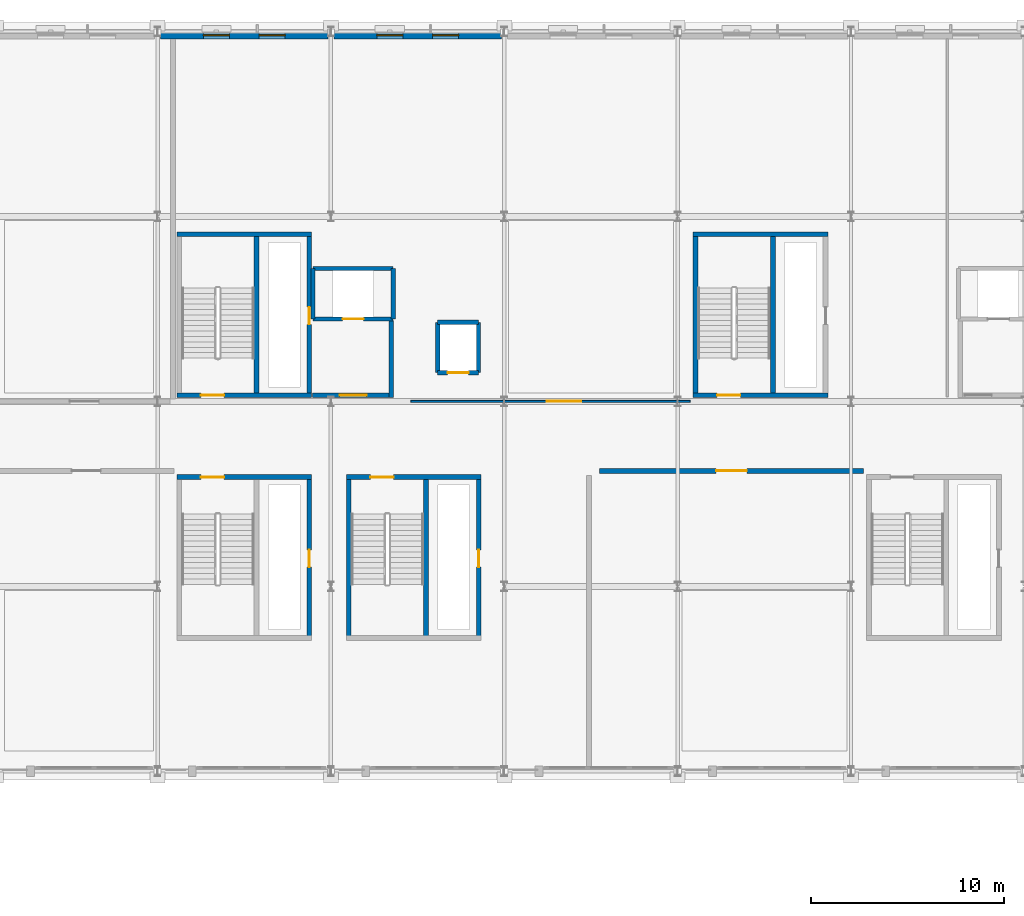
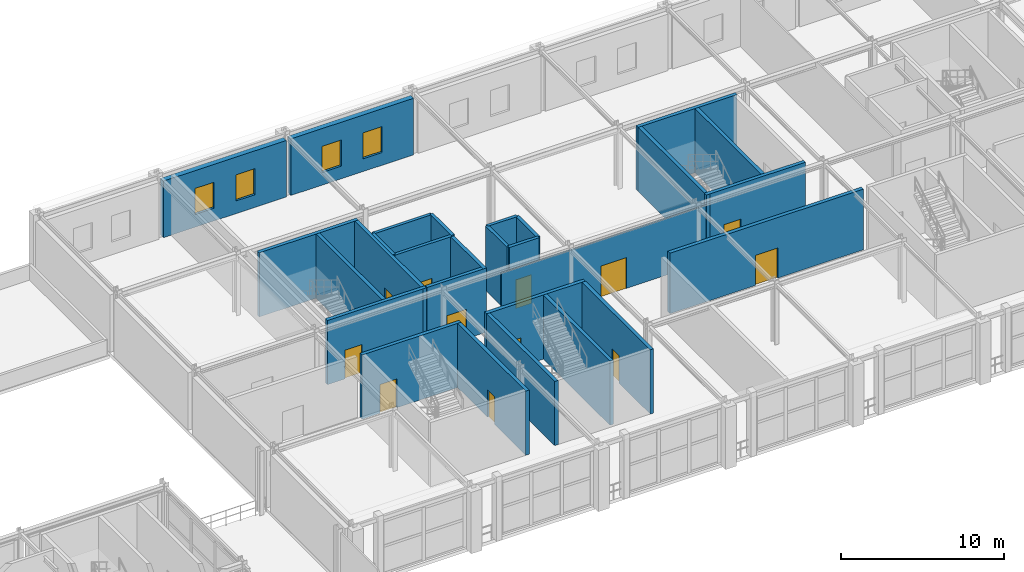
# One storey, part 81 of 125: 28 walls, 12 doors, 4 windows, 16 openings.
"""IFC4 building model written with IfcOpenShell, lengths in metres."""

from ifc_helpers import new_model, si_unit, direction, frame, frame_2d, origin, place, context, subcontext, project, spatial, rectangle, extrude, material, layer, layer_set, type_object, element, fill, save


model = new_model("IFC4")

# Units and contexts
model_context = context("Model", 3, precision=1e-05, world=origin(), true_north=direction((0.0, 1.0)))
body_context = subcontext(model_context, "Body", "Model", "MODEL_VIEW")
ifc_project = project(units=[si_unit("LENGTHUNIT", "METRE"), si_unit("AREAUNIT", "SQUARE_METRE"), si_unit("VOLUMEUNIT", "CUBIC_METRE"), si_unit("PLANEANGLEUNIT", "RADIAN"), si_unit("MASSUNIT", "GRAM", prefix="KILO")], contexts=[model_context])

# Site, building, storey
site_placement = place(None, origin())
site = spatial("IfcSite", under=ifc_project, at=site_placement, CompositionType="ELEMENT")
building_placement = place(site_placement, origin())
building = spatial("IfcBuilding", under=site, at=building_placement, Name="Myrtia Square Station", CompositionType="ELEMENT")
storey_placement = place(building_placement, frame((0.0, 0.0, 6.0)))
storey = spatial("IfcBuildingStorey", under=building, at=storey_placement, Name="L01", CompositionType="ELEMENT", Elevation=6.0)

# Wall, opening, door
ifc_material_1 = material(Name="Concrete C35/45", Category="concrete")
ifc_layer_1 = layer(ifc_material_1, 0.25, Name="Concrete C35/45")
ifc_layer_set_1 = layer_set([ifc_layer_1], Name="Concrete C35/45")
wall_type_1 = type_object("IfcWallType", Name="WL-CORE-250", PredefinedType="SHEAR", material=ifc_layer_set_1)
wall_1_placement = place(storey_placement, frame((127.0, 105.925048828125, 0.0), z_axis=(0.0, 0.0, 1.0), x_axis=(1.0, 0.0, 0.0)))
wall_1 = element("IfcWall", 1, at=wall_1_placement, inside=storey, type_object=wall_type_1, Name="Core K7 shear wall L01 S", PredefinedType="SHEAR", context=body_context, shape_type="SweptSolid", body=[
    extrude(rectangle(XDim=7.0, YDim=0.25, at=frame_2d((3.5, 0.0))), origin(), (0.0, 0.0, 1.0), 4.800048828125),
])
opening_1_placement = place(wall_1_placement, frame((1.25, 0.0, 0.0)))
opening_1 = element("IfcOpeningElement", 2, at=opening_1_placement, cuts=wall_1, Name="Opening SD-113", PredefinedType="OPENING", context=body_context, shape_type="SweptSolid", body=[
    extrude(rectangle(XDim=1.199951171875, YDim=2.14990234375, at=frame_2d((0.60009765625, 1.074951171875))), frame((0.0, 0.139892578125, 0.0), z_axis=(0.0, -1.0, 0.0), x_axis=(1.0, 0.0, 0.0)), (0.0, 0.0, 1.0), 0.280029296875),
])
ifc_material_2 = material(Name="Dark bronze anodised aluminium", Category="aluminium")
door_type_1 = type_object("IfcDoorType", Name="DR-STAIR-1200x2150", OperationType="NOTDEFINED", PredefinedType="DOOR", material=ifc_material_2)
door_1_placement = place(opening_1_placement, origin())
door_1 = element("IfcDoor", 3, at=door_1_placement, inside=storey, type_object=door_type_1, Name="Protected stair fire door K7 L01", OperationType="SINGLE_SWING_LEFT", OverallHeight=2.14990234375, OverallWidth=1.199951171875, PredefinedType="DOOR", context=body_context, shape_type="SweptSolid", body=[
    extrude(rectangle(XDim=1.199951171875, YDim=2.14990234375, at=frame_2d((0.60009765625, 1.074951171875))), frame((0.0, 0.02490234375, 0.0), z_axis=(0.0, -1.0, 0.0), x_axis=(1.0, 0.0, 0.0)), (0.0, 0.0, 1.0), 0.050048828125),
])
fill(opening_1, door_1)

# Wall
wall_2_placement = place(storey_placement, frame((127.0, 114.27490234375, 0.0), z_axis=(0.0, 0.0, 1.0), x_axis=(1.0, 0.0, 0.0)))
element("IfcWall", 4, at=wall_2_placement, inside=storey, type_object=wall_type_1, Name="Core K7 shear wall L01 N", PredefinedType="SHEAR", context=body_context, shape_type="SweptSolid", body=[
    extrude(rectangle(XDim=7.0, YDim=0.25, at=frame_2d((3.5, 0.0))), origin(), (0.0, 0.0, 1.0), 4.800048828125),
])

# Wall, opening, door
wall_3_placement = place(storey_placement, frame((133.875, 105.800048828125, 0.0), z_axis=(0.0, 0.0, 1.0), x_axis=(0.0, 1.0, 0.0)))
wall_3 = element("IfcWall", 5, at=wall_3_placement, inside=storey, type_object=wall_type_1, Name="Core K7 shear wall L01 E", PredefinedType="SHEAR", context=body_context, shape_type="SweptSolid", body=[
    extrude(rectangle(XDim=8.599853515625, YDim=0.25, at=frame_2d((4.2998046875, 0.0))), origin(), (0.0, 0.0, 1.0), 4.800048828125),
])
opening_2_placement = place(wall_3_placement, frame((3.800048828125, 0.0, 0.0)))
opening_2 = element("IfcOpeningElement", 6, at=opening_2_placement, cuts=wall_3, Name="Opening RD-114", PredefinedType="OPENING", context=body_context, shape_type="SweptSolid", body=[
    extrude(rectangle(XDim=0.89990234375, YDim=2.050048828125, at=frame_2d((0.449951171875, 1.02490234375))), frame((0.0, 0.139892578125, 0.0), z_axis=(0.0, -1.0, 0.0), x_axis=(1.0, 0.0, 0.0)), (0.0, 0.0, 1.0), 0.280029296875),
])
door_type_2 = type_object("IfcDoorType", Name="DR-RISER-900x2050", OperationType="NOTDEFINED", PredefinedType="DOOR", material=ifc_material_2)
door_2_placement = place(opening_2_placement, origin())
door_2 = element("IfcDoor", 7, at=door_2_placement, inside=storey, type_object=door_type_2, Name="Riser cupboard access door K7 L01", OperationType="SINGLE_SWING_RIGHT", OverallHeight=2.050048828125, OverallWidth=0.89990234375, PredefinedType="DOOR", context=body_context, shape_type="SweptSolid", body=[
    extrude(rectangle(XDim=0.89990234375, YDim=2.050048828125, at=frame_2d((0.449951171875, 1.02490234375))), frame((0.0, 0.02490234375, 0.0), z_axis=(0.0, -1.0, 0.0), x_axis=(1.0, 0.0, 0.0)), (0.0, 0.0, 1.0), 0.050048828125),
])
fill(opening_2, door_2)

# Wall
wall_4_placement = place(storey_placement, frame((131.139892578125, 106.0, 0.0), z_axis=(0.0, 0.0, 1.0), x_axis=(0.0, 1.0, 0.0)))
element("IfcWall", 8, at=wall_4_placement, inside=storey, type_object=wall_type_1, Name="Core K7 shear wall L01 D", PredefinedType="SHEAR", context=body_context, shape_type="SweptSolid", body=[
    extrude(rectangle(XDim=8.199951171875, YDim=0.25, at=frame_2d((4.10009765625, 0.0))), origin(), (0.0, 0.0, 1.0), 4.800048828125),
])

# Wall, opening, door
wall_5_placement = place(storey_placement, frame((127.0, 101.675048828125, 0.0), z_axis=(0.0, 0.0, 1.0), x_axis=(1.0, 0.0, 0.0)))
wall_5 = element("IfcWall", 9, at=wall_5_placement, inside=storey, type_object=wall_type_1, Name="Core K12 shear wall L01 N", PredefinedType="SHEAR", context=body_context, shape_type="SweptSolid", body=[
    extrude(rectangle(XDim=7.0, YDim=0.25, at=frame_2d((3.5, 0.0))), origin(), (0.0, 0.0, 1.0), 4.800048828125),
])
opening_3_placement = place(wall_5_placement, frame((1.25, 0.0, 0.0)))
opening_3 = element("IfcOpeningElement", 10, at=opening_3_placement, cuts=wall_5, Name="Opening SD-147", PredefinedType="OPENING", context=body_context, shape_type="SweptSolid", body=[
    extrude(rectangle(XDim=1.199951171875, YDim=2.14990234375, at=frame_2d((0.60009765625, 1.074951171875))), frame((0.0, 0.139892578125, 0.0), z_axis=(0.0, -1.0, 0.0), x_axis=(1.0, 0.0, 0.0)), (0.0, 0.0, 1.0), 0.280029296875),
])
door_3_placement = place(opening_3_placement, frame((1.199951171875, 0.0, 0.0), z_axis=(0.0, 0.0, 1.0), x_axis=(-1.0, 0.0, 0.0)))
door_3 = element("IfcDoor", 11, at=door_3_placement, inside=storey, type_object=door_type_1, Name="Protected stair fire door K12 L01", OperationType="SINGLE_SWING_LEFT", OverallHeight=2.14990234375, OverallWidth=1.199951171875, PredefinedType="DOOR", context=body_context, shape_type="SweptSolid", body=[
    extrude(rectangle(XDim=1.199951171875, YDim=2.14990234375, at=frame_2d((0.60009765625, 1.074951171875))), frame((0.0, 0.02490234375, 0.0), z_axis=(0.0, -1.0, 0.0), x_axis=(1.0, 0.0, 0.0)), (0.0, 0.0, 1.0), 0.050048828125),
])
fill(opening_3, door_3)

wall_6_placement = place(storey_placement, frame((133.875, 93.199951171875, 0.0), z_axis=(0.0, 0.0, 1.0), x_axis=(0.0, 1.0, 0.0)))
wall_6 = element("IfcWall", 12, at=wall_6_placement, inside=storey, type_object=wall_type_1, Name="Core K12 shear wall L01 E", PredefinedType="SHEAR", context=body_context, shape_type="SweptSolid", body=[
    extrude(rectangle(XDim=8.60009765625, YDim=0.25, at=frame_2d((4.300048828125, 0.0))), origin(), (0.0, 0.0, 1.0), 4.800048828125),
])
opening_4_placement = place(wall_6_placement, frame((3.800048828125, 0.0, 0.0)))
opening_4 = element("IfcOpeningElement", 13, at=opening_4_placement, cuts=wall_6, Name="Opening RD-148", PredefinedType="OPENING", context=body_context, shape_type="SweptSolid", body=[
    extrude(rectangle(XDim=0.89990234375, YDim=2.050048828125, at=frame_2d((0.449951171875, 1.02490234375))), frame((0.0, 0.139892578125, 0.0), z_axis=(0.0, -1.0, 0.0), x_axis=(1.0, 0.0, 0.0)), (0.0, 0.0, 1.0), 0.280029296875),
])
door_4_placement = place(opening_4_placement, origin())
door_4 = element("IfcDoor", 14, at=door_4_placement, inside=storey, type_object=door_type_2, Name="Riser cupboard access door K12 L01", OperationType="SINGLE_SWING_RIGHT", OverallHeight=2.050048828125, OverallWidth=0.89990234375, PredefinedType="DOOR", context=body_context, shape_type="SweptSolid", body=[
    extrude(rectangle(XDim=0.89990234375, YDim=2.050048828125, at=frame_2d((0.449951171875, 1.02490234375))), frame((0.0, 0.02490234375, 0.0), z_axis=(0.0, -1.0, 0.0), x_axis=(1.0, 0.0, 0.0)), (0.0, 0.0, 1.0), 0.050048828125),
])
fill(opening_4, door_4)

wall_7_placement = place(storey_placement, frame((135.800048828125, 101.675048828125, 0.0), z_axis=(0.0, 0.0, 1.0), x_axis=(1.0, 0.0, 0.0)))
wall_7 = element("IfcWall", 15, at=wall_7_placement, inside=storey, type_object=wall_type_1, Name="Core K13 shear wall L01 N", PredefinedType="SHEAR", context=body_context, shape_type="SweptSolid", body=[
    extrude(rectangle(XDim=7.0, YDim=0.25, at=frame_2d((3.5, 0.0))), origin(), (0.0, 0.0, 1.0), 4.800048828125),
])
opening_5_placement = place(wall_7_placement, frame((1.25, 0.0, 0.0)))
opening_5 = element("IfcOpeningElement", 16, at=opening_5_placement, cuts=wall_7, Name="Opening SD-157", PredefinedType="OPENING", context=body_context, shape_type="SweptSolid", body=[
    extrude(rectangle(XDim=1.199951171875, YDim=2.14990234375, at=frame_2d((0.60009765625, 1.074951171875))), frame((0.0, 0.139892578125, 0.0), z_axis=(0.0, -1.0, 0.0), x_axis=(1.0, 0.0, 0.0)), (0.0, 0.0, 1.0), 0.280029296875),
])
door_5_placement = place(opening_5_placement, frame((1.199951171875, 0.0, 0.0), z_axis=(0.0, 0.0, 1.0), x_axis=(-1.0, 0.0, 0.0)))
door_5 = element("IfcDoor", 17, at=door_5_placement, inside=storey, type_object=door_type_1, Name="Protected stair fire door K13 L01", OperationType="SINGLE_SWING_LEFT", OverallHeight=2.14990234375, OverallWidth=1.199951171875, PredefinedType="DOOR", context=body_context, shape_type="SweptSolid", body=[
    extrude(rectangle(XDim=1.199951171875, YDim=2.14990234375, at=frame_2d((0.60009765625, 1.074951171875))), frame((0.0, 0.02490234375, 0.0), z_axis=(0.0, -1.0, 0.0), x_axis=(1.0, 0.0, 0.0)), (0.0, 0.0, 1.0), 0.050048828125),
])
fill(opening_5, door_5)

# Wall
wall_8_placement = place(storey_placement, frame((135.925048828125, 93.199951171875, 0.0), z_axis=(0.0, 0.0, 1.0), x_axis=(0.0, 1.0, 0.0)))
element("IfcWall", 18, at=wall_8_placement, inside=storey, type_object=wall_type_1, Name="Core K13 shear wall L01 W", PredefinedType="SHEAR", context=body_context, shape_type="SweptSolid", body=[
    extrude(rectangle(XDim=8.60009765625, YDim=0.25, at=frame_2d((4.300048828125, 0.0))), origin(), (0.0, 0.0, 1.0), 4.800048828125),
])

# Wall, opening, door
wall_9_placement = place(storey_placement, frame((142.675048828125, 93.199951171875, 0.0), z_axis=(0.0, 0.0, 1.0), x_axis=(0.0, 1.0, 0.0)))
wall_9 = element("IfcWall", 19, at=wall_9_placement, inside=storey, type_object=wall_type_1, Name="Core K13 shear wall L01 E", PredefinedType="SHEAR", context=body_context, shape_type="SweptSolid", body=[
    extrude(rectangle(XDim=8.60009765625, YDim=0.25, at=frame_2d((4.300048828125, 0.0))), origin(), (0.0, 0.0, 1.0), 4.800048828125),
])
opening_6_placement = place(wall_9_placement, frame((3.800048828125, 0.0, 0.0)))
opening_6 = element("IfcOpeningElement", 20, at=opening_6_placement, cuts=wall_9, Name="Opening RD-158", PredefinedType="OPENING", context=body_context, shape_type="SweptSolid", body=[
    extrude(rectangle(XDim=0.89990234375, YDim=2.050048828125, at=frame_2d((0.449951171875, 1.02490234375))), frame((0.0, 0.139892578125, 0.0), z_axis=(0.0, -1.0, 0.0), x_axis=(1.0, 0.0, 0.0)), (0.0, 0.0, 1.0), 0.280029296875),
])
door_6_placement = place(opening_6_placement, origin())
door_6 = element("IfcDoor", 21, at=door_6_placement, inside=storey, type_object=door_type_2, Name="Riser cupboard access door K13 L01", OperationType="SINGLE_SWING_RIGHT", OverallHeight=2.050048828125, OverallWidth=0.89990234375, PredefinedType="DOOR", context=body_context, shape_type="SweptSolid", body=[
    extrude(rectangle(XDim=0.89990234375, YDim=2.050048828125, at=frame_2d((0.449951171875, 1.02490234375))), frame((0.0, 0.02490234375, 0.0), z_axis=(0.0, -1.0, 0.0), x_axis=(1.0, 0.0, 0.0)), (0.0, 0.0, 1.0), 0.050048828125),
])
fill(opening_6, door_6)

# Wall
wall_10_placement = place(storey_placement, frame((139.93994140625, 93.39990234375, 0.0), z_axis=(0.0, 0.0, 1.0), x_axis=(0.0, 1.0, 0.0)))
element("IfcWall", 22, at=wall_10_placement, inside=storey, type_object=wall_type_1, Name="Core K13 shear wall L01 D", PredefinedType="SHEAR", context=body_context, shape_type="SweptSolid", body=[
    extrude(rectangle(XDim=8.2001953125, YDim=0.25, at=frame_2d((4.10009765625, 0.0))), origin(), (0.0, 0.0, 1.0), 4.800048828125),
])

# Wall, opening, door
wall_11_placement = place(storey_placement, frame((153.800048828125, 105.925048828125, 0.0), z_axis=(0.0, 0.0, 1.0), x_axis=(1.0, 0.0, 0.0)))
wall_11 = element("IfcWall", 23, at=wall_11_placement, inside=storey, type_object=wall_type_1, Name="Core K15 shear wall L01 S", PredefinedType="SHEAR", context=body_context, shape_type="SweptSolid", body=[
    extrude(rectangle(XDim=7.0, YDim=0.25, at=frame_2d((3.5, 0.0))), origin(), (0.0, 0.0, 1.0), 4.800048828125),
])
opening_7_placement = place(wall_11_placement, frame((1.25, 0.0, 0.0)))
opening_7 = element("IfcOpeningElement", 24, at=opening_7_placement, cuts=wall_11, Name="Opening SD-167", PredefinedType="OPENING", context=body_context, shape_type="SweptSolid", body=[
    extrude(rectangle(XDim=1.199951171875, YDim=2.14990234375, at=frame_2d((0.60009765625, 1.074951171875))), frame((0.0, 0.139892578125, 0.0), z_axis=(0.0, -1.0, 0.0), x_axis=(1.0, 0.0, 0.0)), (0.0, 0.0, 1.0), 0.280029296875),
])
door_7_placement = place(opening_7_placement, origin())
door_7 = element("IfcDoor", 25, at=door_7_placement, inside=storey, type_object=door_type_1, Name="Protected stair fire door K15 L01", OperationType="SINGLE_SWING_LEFT", OverallHeight=2.14990234375, OverallWidth=1.199951171875, PredefinedType="DOOR", context=body_context, shape_type="SweptSolid", body=[
    extrude(rectangle(XDim=1.199951171875, YDim=2.14990234375, at=frame_2d((0.60009765625, 1.074951171875))), frame((0.0, 0.02490234375, 0.0), z_axis=(0.0, -1.0, 0.0), x_axis=(1.0, 0.0, 0.0)), (0.0, 0.0, 1.0), 0.050048828125),
])
fill(opening_7, door_7)

# Walls
wall_12_placement = place(storey_placement, frame((153.800048828125, 114.27490234375, 0.0), z_axis=(0.0, 0.0, 1.0), x_axis=(1.0, 0.0, 0.0)))
element("IfcWall", 26, at=wall_12_placement, inside=storey, type_object=wall_type_1, Name="Core K15 shear wall L01 N", PredefinedType="SHEAR", context=body_context, shape_type="SweptSolid", body=[
    extrude(rectangle(XDim=7.0, YDim=0.25, at=frame_2d((3.5, 0.0))), origin(), (0.0, 0.0, 1.0), 4.800048828125),
])
wall_13_placement = place(storey_placement, frame((153.925048828125, 105.800048828125, 0.0), z_axis=(0.0, 0.0, 1.0), x_axis=(0.0, 1.0, 0.0)))
element("IfcWall", 27, at=wall_13_placement, inside=storey, type_object=wall_type_1, Name="Core K15 shear wall L01 W", PredefinedType="SHEAR", context=body_context, shape_type="SweptSolid", body=[
    extrude(rectangle(XDim=8.599853515625, YDim=0.25, at=frame_2d((4.2998046875, 0.0))), origin(), (0.0, 0.0, 1.0), 4.800048828125),
])
wall_14_placement = place(storey_placement, frame((157.93994140625, 106.0, 0.0), z_axis=(0.0, 0.0, 1.0), x_axis=(0.0, 1.0, 0.0)))
element("IfcWall", 28, at=wall_14_placement, inside=storey, type_object=wall_type_1, Name="Core K15 shear wall L01 D", PredefinedType="SHEAR", context=body_context, shape_type="SweptSolid", body=[
    extrude(rectangle(XDim=8.199951171875, YDim=0.25, at=frame_2d((4.10009765625, 0.0))), origin(), (0.0, 0.0, 1.0), 4.800048828125),
])

# Wall, openings, windows
ifc_material_3 = material(Name="Cream lime stucco on clay brick masonry", Category="masonry")
ifc_layer_2 = layer(ifc_material_3, 0.360107421875, Name="Cream lime stucco on clay brick masonry")
ifc_layer_set_2 = layer_set([ifc_layer_2], Name="Cream lime stucco on clay brick masonry")
wall_type_2 = type_object("IfcWallType", Name="WL-EXT-STUCCO-360", PredefinedType="SOLIDWALL", material=ifc_layer_set_2)
wall_15_placement = place(storey_placement, frame((126.155029296875, 124.60009765625, 0.0), z_axis=(0.0, 0.0, 1.0), x_axis=(1.0, 0.0, 0.0)))
wall_15 = element("IfcWall", 29, at=wall_15_placement, inside=storey, type_object=wall_type_2, Name="Exterior envelope wall EW-L01-0109", PredefinedType="SOLIDWALL", context=body_context, shape_type="SweptSolid", body=[
    extrude(rectangle(XDim=8.68994140625, YDim=0.360107421875, at=frame_2d((4.344970703125, 0.0))), origin(), (0.0, 0.0, 1.0), 4.22998046875),
])
opening_8_placement = place(wall_15_placement, frame((2.221923828125, 0.0, 0.949951171875)))
opening_8 = element("IfcOpeningElement", 30, at=opening_8_placement, cuts=wall_15, Name="Opening WN-111", PredefinedType="OPENING", context=body_context, shape_type="SweptSolid", body=[
    extrude(rectangle(XDim=1.35009765625, YDim=1.949951171875, at=frame_2d((0.675048828125, 0.97509765625))), frame((0.0, 0.195068359375, 0.0), z_axis=(0.0, -1.0, 0.0), x_axis=(1.0, 0.0, 0.0)), (0.0, 0.0, 1.0), 0.39013671875),
])
opening_9_placement = place(wall_15_placement, frame((5.117919921875, 0.0, 0.949951171875)))
opening_9 = element("IfcOpeningElement", 31, at=opening_9_placement, cuts=wall_15, Name="Opening WN-112", PredefinedType="OPENING", context=body_context, shape_type="SweptSolid", body=[
    extrude(rectangle(XDim=1.35009765625, YDim=1.949951171875, at=frame_2d((0.675048828125, 0.97509765625))), frame((0.0, 0.195068359375, 0.0), z_axis=(0.0, -1.0, 0.0), x_axis=(1.0, 0.0, 0.0)), (0.0, 0.0, 1.0), 0.39013671875),
])
ifc_material_4 = material(Name="Tinted low-E solar control glass", Category="glass")
window_type = type_object("IfcWindowType", Name="WN-OPS-1350x1950", PartitioningType="SINGLE_PANEL", PredefinedType="WINDOW", material=ifc_material_4)
window_1_placement = place(opening_8_placement, origin())
window_1 = element("IfcWindow", 32, at=window_1_placement, inside=storey, type_object=window_type, Name="Window WN-111", OverallHeight=1.949951171875, OverallWidth=1.35009765625, PartitioningType="SINGLE_PANEL", PredefinedType="WINDOW", context=body_context, shape_type="SweptSolid", body=[
    extrude(rectangle(XDim=1.35009765625, YDim=1.949951171875, at=frame_2d((0.675048828125, 0.97509765625))), frame((0.0, 0.030029296875, 0.0), z_axis=(0.0, -1.0, 0.0), x_axis=(1.0, 0.0, 0.0)), (0.0, 0.0, 1.0), 0.06005859375),
])
fill(opening_8, window_1)
window_2_placement = place(opening_9_placement, origin())
window_2 = element("IfcWindow", 33, at=window_2_placement, inside=storey, type_object=window_type, Name="Window WN-112", OverallHeight=1.949951171875, OverallWidth=1.35009765625, PartitioningType="SINGLE_PANEL", PredefinedType="WINDOW", context=body_context, shape_type="SweptSolid", body=[
    extrude(rectangle(XDim=1.35009765625, YDim=1.949951171875, at=frame_2d((0.675048828125, 0.97509765625))), frame((0.0, 0.030029296875, 0.0), z_axis=(0.0, -1.0, 0.0), x_axis=(1.0, 0.0, 0.0)), (0.0, 0.0, 1.0), 0.06005859375),
])
fill(opening_9, window_2)

wall_16_placement = place(storey_placement, frame((135.155029296875, 124.60009765625, 0.0), z_axis=(0.0, 0.0, 1.0), x_axis=(1.0, 0.0, 0.0)))
wall_16 = element("IfcWall", 34, at=wall_16_placement, inside=storey, type_object=wall_type_2, Name="Exterior envelope wall EW-L01-0110", PredefinedType="SOLIDWALL", context=body_context, shape_type="SweptSolid", body=[
    extrude(rectangle(XDim=8.68994140625, YDim=0.360107421875, at=frame_2d((4.344970703125, 0.0))), origin(), (0.0, 0.0, 1.0), 4.22998046875),
])
opening_10_placement = place(wall_16_placement, frame((2.221923828125, 0.0, 0.949951171875)))
opening_10 = element("IfcOpeningElement", 35, at=opening_10_placement, cuts=wall_16, Name="Opening WN-113", PredefinedType="OPENING", context=body_context, shape_type="SweptSolid", body=[
    extrude(rectangle(XDim=1.35009765625, YDim=1.949951171875, at=frame_2d((0.675048828125, 0.97509765625))), frame((0.0, 0.195068359375, 0.0), z_axis=(0.0, -1.0, 0.0), x_axis=(1.0, 0.0, 0.0)), (0.0, 0.0, 1.0), 0.39013671875),
])
opening_11_placement = place(wall_16_placement, frame((5.117919921875, 0.0, 0.949951171875)))
opening_11 = element("IfcOpeningElement", 36, at=opening_11_placement, cuts=wall_16, Name="Opening WN-114", PredefinedType="OPENING", context=body_context, shape_type="SweptSolid", body=[
    extrude(rectangle(XDim=1.35009765625, YDim=1.949951171875, at=frame_2d((0.675048828125, 0.97509765625))), frame((0.0, 0.195068359375, 0.0), z_axis=(0.0, -1.0, 0.0), x_axis=(1.0, 0.0, 0.0)), (0.0, 0.0, 1.0), 0.39013671875),
])
window_3_placement = place(opening_10_placement, origin())
window_3 = element("IfcWindow", 37, at=window_3_placement, inside=storey, type_object=window_type, Name="Window WN-113", OverallHeight=1.949951171875, OverallWidth=1.35009765625, PartitioningType="SINGLE_PANEL", PredefinedType="WINDOW", context=body_context, shape_type="SweptSolid", body=[
    extrude(rectangle(XDim=1.35009765625, YDim=1.949951171875, at=frame_2d((0.675048828125, 0.97509765625))), frame((0.0, 0.030029296875, 0.0), z_axis=(0.0, -1.0, 0.0), x_axis=(1.0, 0.0, 0.0)), (0.0, 0.0, 1.0), 0.06005859375),
])
fill(opening_10, window_3)
window_4_placement = place(opening_11_placement, origin())
window_4 = element("IfcWindow", 38, at=window_4_placement, inside=storey, type_object=window_type, Name="Window WN-114", OverallHeight=1.949951171875, OverallWidth=1.35009765625, PartitioningType="SINGLE_PANEL", PredefinedType="WINDOW", context=body_context, shape_type="SweptSolid", body=[
    extrude(rectangle(XDim=1.35009765625, YDim=1.949951171875, at=frame_2d((0.675048828125, 0.97509765625))), frame((0.0, 0.030029296875, 0.0), z_axis=(0.0, -1.0, 0.0), x_axis=(1.0, 0.0, 0.0)), (0.0, 0.0, 1.0), 0.06005859375),
])
fill(opening_11, window_4)

# Wall
ifc_layer_3 = layer(ifc_material_1, 0.239990234375, Name="Concrete C35/45")
ifc_layer_set_3 = layer_set([ifc_layer_3], Name="Concrete C35/45")
wall_type_3 = type_object("IfcWallType", Name="WL-FFL-240", PredefinedType="SHEAR", material=ifc_layer_set_3)
wall_17_placement = place(storey_placement, frame((138.1298828125, 105.800048828125, 0.0), z_axis=(0.0, 0.0, 1.0), x_axis=(0.0, 1.0, 0.0)))
element("IfcWall", 39, at=wall_17_placement, inside=storey, type_object=wall_type_3, Name="Firefighting lift lobby EI 120 wall K7 L01 E", PredefinedType="SHEAR", context=body_context, shape_type="SweptSolid", body=[
    extrude(rectangle(XDim=4.0, YDim=0.239990234375, at=frame_2d((2.0, 0.0))), origin(), (0.0, 0.0, 1.0), 4.800048828125),
])

# Wall, opening, door
wall_18_placement = place(storey_placement, frame((134.050048828125, 105.919921875, 0.0), z_axis=(0.0, 0.0, 1.0), x_axis=(1.0, 0.0, 0.0)))
wall_18 = element("IfcWall", 40, at=wall_18_placement, inside=storey, type_object=wall_type_3, Name="Firefighting lift lobby EI 120 wall K7 L01 S", PredefinedType="SHEAR", context=body_context, shape_type="SweptSolid", body=[
    extrude(rectangle(XDim=4.199951171875, YDim=0.239990234375, at=frame_2d((2.10009765625, 0.0))), origin(), (0.0, 0.0, 1.0), 4.800048828125),
])
opening_12_placement = place(wall_18_placement, frame((1.39990234375, 0.0, 0.0)))
opening_12 = element("IfcOpeningElement", 41, at=opening_12_placement, cuts=wall_18, Name="Opening FD-115", PredefinedType="OPENING", context=body_context, shape_type="SweptSolid", body=[
    extrude(rectangle(XDim=1.39990234375, YDim=2.199951171875, at=frame_2d((0.699951171875, 1.10009765625))), frame((0.0, 0.135009765625, 0.0), z_axis=(0.0, -1.0, 0.0), x_axis=(1.0, 0.0, 0.0)), (0.0, 0.0, 1.0), 0.27001953125),
])
door_type_3 = type_object("IfcDoorType", Name="DR-FFL-1400x2200", OperationType="NOTDEFINED", PredefinedType="DOOR", material=ifc_material_2)
door_8_placement = place(opening_12_placement, frame((1.39990234375, 0.0, 0.0), z_axis=(0.0, 0.0, 1.0), x_axis=(-1.0, 0.0, 0.0)))
door_8 = element("IfcDoor", 42, at=door_8_placement, inside=storey, type_object=door_type_3, Name="Firefighting lobby fire door K7 L01", OperationType="SINGLE_SWING_LEFT", OverallHeight=2.199951171875, OverallWidth=1.39990234375, PredefinedType="DOOR", context=body_context, shape_type="SweptSolid", body=[
    extrude(rectangle(XDim=1.39990234375, YDim=2.199951171875, at=frame_2d((0.699951171875, 1.10009765625))), frame((0.0, 0.02490234375, 0.0), z_axis=(0.0, -1.0, 0.0), x_axis=(1.0, 0.0, 0.0)), (0.0, 0.0, 1.0), 0.050048828125),
])
fill(opening_12, door_8)

ifc_layer_4 = layer(ifc_material_1, 0.219970703125, Name="Concrete C35/45")
ifc_layer_set_4 = layer_set([ifc_layer_4], Name="Concrete C35/45")
wall_type_4 = type_object("IfcWallType", Name="WL-LIFT-220", PredefinedType="SHEAR", material=ifc_layer_set_4)
wall_19_placement = place(storey_placement, frame((140.5400390625, 107.090087890625, 0.0), z_axis=(0.0, 0.0, 1.0), x_axis=(1.0, 0.0, 0.0)))
wall_19 = element("IfcWall", 43, at=wall_19_placement, inside=storey, type_object=wall_type_4, Name="Lift shaft wall PL-08 L01 -Y", PredefinedType="SHEAR", context=body_context, shape_type="SweptSolid", body=[
    extrude(rectangle(XDim=2.119873046875, YDim=0.219970703125, at=frame_2d((1.06005859375, 0.0))), origin(), (0.0, 0.0, 1.0), 4.800048828125),
])
opening_13_placement = place(wall_19_placement, frame((0.510009765625, 0.0, 0.0)))
opening_13 = element("IfcOpeningElement", 44, at=opening_13_placement, cuts=wall_19, Name="Opening LD-PL-08", PredefinedType="OPENING", context=body_context, shape_type="SweptSolid", body=[
    extrude(rectangle(XDim=1.10009765625, YDim=2.14990234375, at=frame_2d((0.550048828125, 1.074951171875))), frame((0.0, 0.125, 0.0), z_axis=(0.0, -1.0, 0.0), x_axis=(1.0, 0.0, 0.0)), (0.0, 0.0, 1.0), 0.25),
])
door_type_4 = type_object("IfcDoorType", Name="DR-LIFT-1100x2150", OperationType="NOTDEFINED", PredefinedType="DOOR", material=ifc_material_2)
door_9_placement = place(opening_13_placement, origin())
door_9 = element("IfcDoor", 45, at=door_9_placement, inside=storey, type_object=door_type_4, Name="Lift landing door PL-08 L01", OperationType="SLIDING_TO_RIGHT", OverallHeight=2.14990234375, OverallWidth=1.10009765625, PredefinedType="DOOR", context=body_context, shape_type="SweptSolid", body=[
    extrude(rectangle(XDim=1.10009765625, YDim=2.14990234375, at=frame_2d((0.550048828125, 1.074951171875))), frame((0.0, 0.02490234375, 0.0), z_axis=(0.0, -1.0, 0.0), x_axis=(1.0, 0.0, 0.0)), (0.0, 0.0, 1.0), 0.050048828125),
])
fill(opening_13, door_9)

# Walls
wall_20_placement = place(storey_placement, frame((140.5400390625, 109.7099609375, 0.0), z_axis=(0.0, 0.0, 1.0), x_axis=(1.0, 0.0, 0.0)))
element("IfcWall", 46, at=wall_20_placement, inside=storey, type_object=wall_type_4, Name="Lift shaft wall PL-08 L01 +Y", PredefinedType="SHEAR", context=body_context, shape_type="SweptSolid", body=[
    extrude(rectangle(XDim=2.119873046875, YDim=0.219970703125, at=frame_2d((1.06005859375, 0.0))), origin(), (0.0, 0.0, 1.0), 4.800048828125),
])
for number, where, z_axis, x_axis, name in (
    (47, (140.5400390625, 107.090087890625, 0.0), (0.0, 0.0, 1.0), (0.0, 1.0, 0.0), "Lift shaft wall PL-08 L01 -X"),
    (48, (142.659912109375, 107.090087890625, 0.0), (0.0, 0.0, 1.0), (0.0, 1.0, 0.0), "Lift shaft wall PL-08 L01 +X"),
):
    element("IfcWall", number, at=place(storey_placement, frame(where, z_axis=z_axis, x_axis=x_axis)), inside=storey, type_object=wall_type_4, Name=name, PredefinedType="SHEAR", context=body_context, shape_type="SweptSolid", body=[
        extrude(rectangle(XDim=2.619873046875, YDim=0.219970703125, at=frame_2d((1.31005859375, 0.0))), origin(), (0.0, 0.0, 1.0), 4.800048828125),
    ])

# Wall, opening, door
wall_21_placement = place(storey_placement, frame((134.070068359375, 109.8798828125, 0.0), z_axis=(0.0, 0.0, 1.0), x_axis=(1.0, 0.0, 0.0)))
wall_21 = element("IfcWall", 49, at=wall_21_placement, inside=storey, type_object=wall_type_4, Name="Lift shaft wall FFL-03 L01 -Y", PredefinedType="SHEAR", context=body_context, shape_type="SweptSolid", body=[
    extrude(rectangle(XDim=4.159912109375, YDim=0.219970703125, at=frame_2d((2.080078125, 0.0))), origin(), (0.0, 0.0, 1.0), 4.800048828125),
])
opening_14_placement = place(wall_21_placement, frame((1.530029296875, 0.0, 0.0)))
opening_14 = element("IfcOpeningElement", 50, at=opening_14_placement, cuts=wall_21, Name="Opening LD-FFL-03", PredefinedType="OPENING", context=body_context, shape_type="SweptSolid", body=[
    extrude(rectangle(XDim=1.10009765625, YDim=2.14990234375, at=frame_2d((0.550048828125, 1.074951171875))), frame((0.0, 0.125, 0.0), z_axis=(0.0, -1.0, 0.0), x_axis=(1.0, 0.0, 0.0)), (0.0, 0.0, 1.0), 0.25),
])
door_10_placement = place(opening_14_placement, origin())
door_10 = element("IfcDoor", 51, at=door_10_placement, inside=storey, type_object=door_type_4, Name="Lift landing door FFL-03 L01", OperationType="SLIDING_TO_RIGHT", OverallHeight=2.14990234375, OverallWidth=1.10009765625, PredefinedType="DOOR", context=body_context, shape_type="SweptSolid", body=[
    extrude(rectangle(XDim=1.10009765625, YDim=2.14990234375, at=frame_2d((0.550048828125, 1.074951171875))), frame((0.0, 0.02490234375, 0.0), z_axis=(0.0, -1.0, 0.0), x_axis=(1.0, 0.0, 0.0)), (0.0, 0.0, 1.0), 0.050048828125),
])
fill(opening_14, door_10)

# Walls
wall_22_placement = place(storey_placement, frame((134.070068359375, 112.5, 0.0), z_axis=(0.0, 0.0, 1.0), x_axis=(1.0, 0.0, 0.0)))
element("IfcWall", 52, at=wall_22_placement, inside=storey, type_object=wall_type_4, Name="Lift shaft wall FFL-03 L01 +Y", PredefinedType="SHEAR", context=body_context, shape_type="SweptSolid", body=[
    extrude(rectangle(XDim=4.159912109375, YDim=0.219970703125, at=frame_2d((2.080078125, 0.0))), origin(), (0.0, 0.0, 1.0), 4.800048828125),
])
for number, where, z_axis, x_axis, name in (
    (53, (134.070068359375, 109.8798828125, 0.0), (0.0, 0.0, 1.0), (0.0, 1.0, 0.0), "Lift shaft wall FFL-03 L01 -X"),
    (54, (138.22998046875, 109.8798828125, 0.0), (0.0, 0.0, 1.0), (0.0, 1.0, 0.0), "Lift shaft wall FFL-03 L01 +X"),
):
    element("IfcWall", number, at=place(storey_placement, frame(where, z_axis=z_axis, x_axis=x_axis)), inside=storey, type_object=wall_type_4, Name=name, PredefinedType="SHEAR", context=body_context, shape_type="SweptSolid", body=[
        extrude(rectangle(XDim=2.6201171875, YDim=0.219970703125, at=frame_2d((1.31005859375, 0.0))), origin(), (0.0, 0.0, 1.0), 4.800048828125),
    ])

# Wall, opening, door
ifc_material_5 = material(Name="Gypsum plasterboard")
ifc_layer_5 = layer(ifc_material_5, 0.10009765625, Name="Gypsum plasterboard")
ifc_layer_set_5 = layer_set([ifc_layer_5], Name="Gypsum plasterboard")
wall_type_5 = type_object("IfcWallType", Name="WL-PART-100", PredefinedType="PARTITIONING", material=ifc_layer_set_5)
wall_23_placement = place(storey_placement, frame((139.14990234375, 105.60009765625, 0.0), z_axis=(0.0, 0.0, 1.0), x_axis=(1.0, 0.0, 0.0)))
wall_23 = element("IfcWall", 55, at=wall_23_placement, inside=storey, type_object=wall_type_5, Name="Interior partition wall L01-18", PredefinedType="PARTITIONING", context=body_context, shape_type="SweptSolid", body=[
    extrude(rectangle(XDim=14.489990234375, YDim=0.10009765625, at=frame_2d((7.2451171875, 0.0))), origin(), (0.0, 0.0, 1.0), 4.22998046875),
])
opening_15_placement = place(wall_23_placement, frame((7.044921875, 0.0, 0.0)))
opening_15 = element("IfcOpeningElement", 56, at=opening_15_placement, cuts=wall_23, Name="Opening D-250", PredefinedType="OPENING", context=body_context, shape_type="SweptSolid", body=[
    extrude(rectangle(XDim=1.800048828125, YDim=2.300048828125, at=frame_2d((0.89990234375, 1.14990234375))), frame((0.0, 0.06494140625, 0.0), z_axis=(0.0, -1.0, 0.0), x_axis=(1.0, 0.0, 0.0)), (0.0, 0.0, 1.0), 0.130126953125),
])
door_type_5 = type_object("IfcDoorType", Name="DR-CORR-1800x2300", OperationType="NOTDEFINED", PredefinedType="DOOR", material=ifc_material_2)
door_11_placement = place(opening_15_placement, frame((1.800048828125, 0.0, 0.0), z_axis=(0.0, 0.0, 1.0), x_axis=(-1.0, 0.0, 0.0)))
door_11 = element("IfcDoor", 57, at=door_11_placement, inside=storey, type_object=door_type_5, Name="Signalling Maintenance Engineers Office door D-250", OperationType="DOUBLE_DOOR_SINGLE_SWING", OverallHeight=2.300048828125, OverallWidth=1.800048828125, PredefinedType="DOOR", context=body_context, shape_type="SweptSolid", body=[
    extrude(rectangle(XDim=1.800048828125, YDim=2.300048828125, at=frame_2d((0.89990234375, 1.14990234375))), frame((0.0, 0.02490234375, 0.0), z_axis=(0.0, -1.0, 0.0), x_axis=(1.0, 0.0, 0.0)), (0.0, 0.0, 1.0), 0.050048828125),
])
fill(opening_15, door_11)

ifc_layer_6 = layer(ifc_material_3, 0.260009765625, Name="Cream lime stucco on clay brick masonry")
ifc_layer_set_6 = layer_set([ifc_layer_6], Name="Cream lime stucco on clay brick masonry")
wall_type_6 = type_object("IfcWallType", Name="WL-PART-260", PredefinedType="PARTITIONING", material=ifc_layer_set_6)
wall_24_placement = place(storey_placement, frame((148.949951171875, 102.0, 0.0), z_axis=(0.0, 0.0, 1.0), x_axis=(1.0, 0.0, 0.0)))
wall_24 = element("IfcWall", 58, at=wall_24_placement, inside=storey, type_object=wall_type_6, Name="Interior partition wall L01-16", PredefinedType="PARTITIONING", context=body_context, shape_type="SweptSolid", body=[
    extrude(rectangle(XDim=13.68994140625, YDim=0.260009765625, at=frame_2d((6.844970703125, 0.0))), origin(), (0.0, 0.0, 1.0), 4.530029296875),
])
opening_16_placement = place(wall_24_placement, frame((6.044921875, 0.0, 0.0)))
opening_16 = element("IfcOpeningElement", 59, at=opening_16_placement, cuts=wall_24, Name="Opening D-248", PredefinedType="OPENING", context=body_context, shape_type="SweptSolid", body=[
    extrude(rectangle(XDim=1.60009765625, YDim=2.25, at=frame_2d((0.800048828125, 1.125))), frame((0.0, 0.14501953125, 0.0), z_axis=(0.0, -1.0, 0.0), x_axis=(1.0, 0.0, 0.0)), (0.0, 0.0, 1.0), 0.2900390625),
])
door_type_6 = type_object("IfcDoorType", Name="DR-CORR-1600x2250", OperationType="NOTDEFINED", PredefinedType="DOOR", material=ifc_material_2)
door_12_placement = place(opening_16_placement, origin())
door_12 = element("IfcDoor", 60, at=door_12_placement, inside=storey, type_object=door_type_6, Name="Traction Power SCADA Control Room door D-248", OperationType="DOUBLE_DOOR_SINGLE_SWING", OverallHeight=2.25, OverallWidth=1.60009765625, PredefinedType="DOOR", context=body_context, shape_type="SweptSolid", body=[
    extrude(rectangle(XDim=1.60009765625, YDim=2.25, at=frame_2d((0.800048828125, 1.125))), frame((0.0, 0.02490234375, 0.0), z_axis=(0.0, -1.0, 0.0), x_axis=(1.0, 0.0, 0.0)), (0.0, 0.0, 1.0), 0.050048828125),
])
fill(opening_16, door_12)

save(model, "model.ifc")
